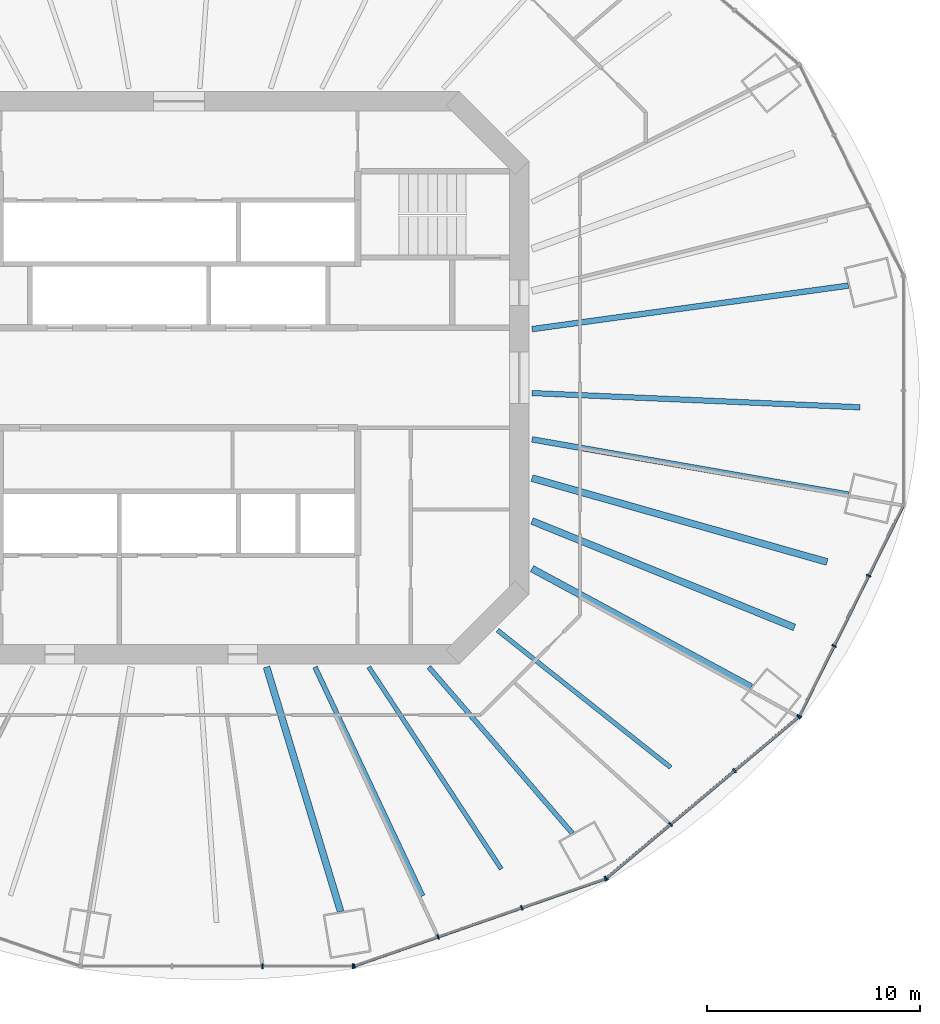
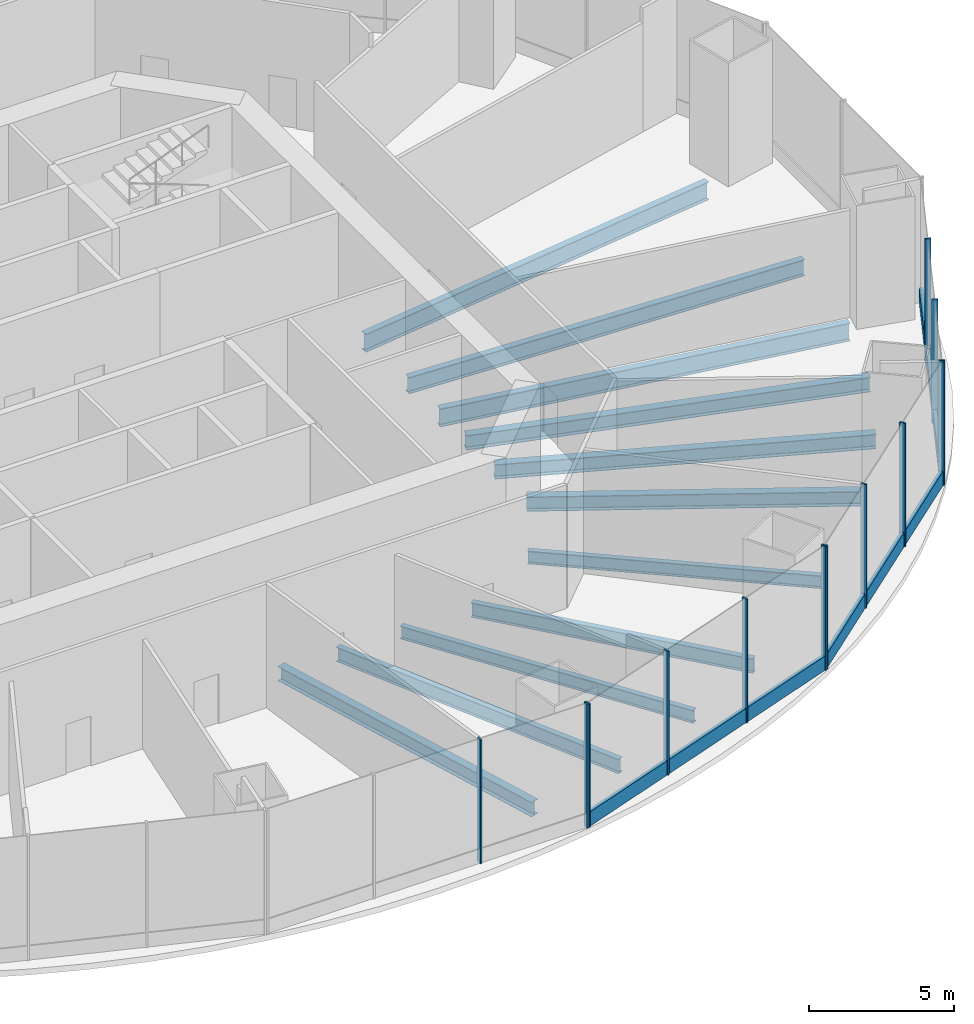
# One storey, part 4 of 15: 16 members, 11 beams, 4 elements without a shape of their own.
"""IFC4 building model written with IfcOpenShell, lengths in metres."""

from ifc_helpers import new_model, si_unit, direction, frame, origin, origin_2d, place, context, subcontext, project, spatial, rectangle, i_section, extrude, material, material_profile, profile_set, type_object, element, aggregate, save


model = new_model("IFC4")

# Units and contexts
model_context = context("Model", 3, precision=1e-05, world=origin(), true_north=direction((0.0, 1.0)))
body_context = subcontext(model_context, "Body", "Model", "MODEL_VIEW")
ifc_project = project(units=[si_unit("LENGTHUNIT", "METRE"), si_unit("AREAUNIT", "SQUARE_METRE"), si_unit("VOLUMEUNIT", "CUBIC_METRE"), si_unit("PLANEANGLEUNIT", "RADIAN"), si_unit("MASSUNIT", "GRAM", prefix="KILO")], contexts=[model_context])

# Site, building, storey
site_placement = place(None, origin())
site = spatial("IfcSite", under=ifc_project, at=site_placement, CompositionType="ELEMENT")
building_placement = place(site_placement, origin())
building = spatial("IfcBuilding", under=site, at=building_placement, Name="Marenthal Gate Tower", CompositionType="ELEMENT")
storey_placement = place(building_placement, frame((0.0, 0.0, 155.64990234375)))
storey = spatial("IfcBuildingStorey", under=building, at=storey_placement, Name="L33", CompositionType="ELEMENT", Elevation=155.64990234375)

# Curtain wall, members
ifc_material_1 = material(Name="Aluminium and glass", Category="aluminium")
curtain_wall_type = type_object("IfcCurtainWallType", Name="Curtain wall sky lobby", PredefinedType="NOTDEFINED", material=ifc_material_1)
curtain_wall_1_placement = place(storey_placement, origin())
curtain_wall_1 = element("IfcCurtainWall", 1, at=curtain_wall_1_placement, inside=storey, type_object=curtain_wall_type, Name="Curtain wall L33 bay 12", PredefinedType="NOTDEFINED")
ifc_material_2 = material(Name="Aluminium", Category="aluminium")
ifc_material_profile_1 = material_profile(ifc_material_2, rectangle(XDim=0.219970703125, YDim=0.070068359375, at=origin_2d()), Name="70x220 aluminium mullion")
ifc_profile_set_1 = profile_set([ifc_material_profile_1], Name="Aluminium")
member_type_1 = type_object("IfcMemberType", Name="Mullion 70x220 sky lobby", PredefinedType="MULLION", material=ifc_profile_set_1)
member_1_placement = place(storey_placement, frame((3.929443359375, -27.661865234375, 0.0), z_axis=(0.0, 0.0, 1.0), x_axis=(0.0, 1.0, 0.0)))
member_1 = element("IfcMember", 2, at=member_1_placement, type_object=member_type_1, Name="Mullion L33 bay 12.3", PredefinedType="MULLION", context=body_context, shape_type="SweptSolid", body=[
    extrude(rectangle(XDim=0.219970703125, YDim=0.070068359375, at=origin_2d()), origin(), (0.0, 0.0, 1.0), 5.22021484375),
])
member_2_placement = place(storey_placement, frame((8.188232421875, -27.661865234375, 0.0), z_axis=(0.0, 0.0, 1.0), x_axis=(0.0, 1.0, 0.0)))
member_2 = element("IfcMember", 3, at=member_2_placement, type_object=member_type_1, Name="Mullion L33 bay 12.4", PredefinedType="MULLION", context=body_context, shape_type="SweptSolid", body=[
    extrude(rectangle(XDim=0.219970703125, YDim=0.070068359375, at=origin_2d()), origin(), (0.0, 0.0, 1.0), 5.22021484375),
])
aggregate(curtain_wall_1, [member_1, member_2])

curtain_wall_2_placement = place(storey_placement, origin())
curtain_wall_2 = element("IfcCurtainWall", 4, at=curtain_wall_2_placement, inside=storey, type_object=curtain_wall_type, Name="Curtain wall L33 bay 13", PredefinedType="NOTDEFINED")
member_3_placement = place(storey_placement, frame((8.24658203125, -27.65185546875, 0.0), z_axis=(0.0, 0.0, 1.0), x_axis=(-0.328157600538, 0.944622987868, 0.0)))
member_3 = element("IfcMember", 5, at=member_3_placement, type_object=member_type_1, Name="Mullion L33 bay 13.1", PredefinedType="MULLION", context=body_context, shape_type="SweptSolid", body=[
    extrude(rectangle(XDim=0.219970703125, YDim=0.070068359375, at=origin_2d()), origin(), (0.0, 0.0, 1.0), 5.22021484375),
])
member_4_placement = place(storey_placement, frame((12.180908203125, -26.28515625, 0.0), z_axis=(0.0, 0.0, 1.0), x_axis=(-0.328157600538, 0.944622987868, 0.0)))
member_4 = element("IfcMember", 6, at=member_4_placement, type_object=member_type_1, Name="Mullion L33 bay 13.2", PredefinedType="MULLION", context=body_context, shape_type="SweptSolid", body=[
    extrude(rectangle(XDim=0.219970703125, YDim=0.070068359375, at=origin_2d()), origin(), (0.0, 0.0, 1.0), 5.22021484375),
])
member_5_placement = place(storey_placement, frame((16.115234375, -24.91845703125, 0.0), z_axis=(0.0, 0.0, 1.0), x_axis=(-0.328157600538, 0.944622987868, 0.0)))
member_5 = element("IfcMember", 7, at=member_5_placement, type_object=member_type_1, Name="Mullion L33 bay 13.3", PredefinedType="MULLION", context=body_context, shape_type="SweptSolid", body=[
    extrude(rectangle(XDim=0.219970703125, YDim=0.070068359375, at=origin_2d()), origin(), (0.0, 0.0, 1.0), 5.22021484375),
])
member_6_placement = place(storey_placement, frame((20.04931640625, -23.5517578125, 0.0), z_axis=(0.0, 0.0, 1.0), x_axis=(-0.328157600538, 0.944622987868, 0.0)))
member_6 = element("IfcMember", 8, at=member_6_placement, type_object=member_type_1, Name="Mullion L33 bay 13.4", PredefinedType="MULLION", context=body_context, shape_type="SweptSolid", body=[
    extrude(rectangle(XDim=0.219970703125, YDim=0.070068359375, at=origin_2d()), origin(), (0.0, 0.0, 1.0), 5.22021484375),
])

curtain_wall_3_placement = place(storey_placement, origin())
curtain_wall_3 = element("IfcCurtainWall", 9, at=curtain_wall_3_placement, inside=storey, type_object=curtain_wall_type, Name="Curtain wall L33 bay 14", PredefinedType="NOTDEFINED")
member_7_placement = place(storey_placement, frame((20.1005859375, -23.522705078125, 0.0), z_axis=(0.0, 0.0, 1.0), x_axis=(-0.642602351007, 0.766199855443, 0.0)))
member_7 = element("IfcMember", 10, at=member_7_placement, type_object=member_type_1, Name="Mullion L33 bay 14.1", PredefinedType="MULLION", context=body_context, shape_type="SweptSolid", body=[
    extrude(rectangle(XDim=0.219970703125, YDim=0.070068359375, at=origin_2d()), origin(), (0.0, 0.0, 1.0), 5.22021484375),
])
member_8_placement = place(storey_placement, frame((23.11083984375, -20.998046875, 0.0), z_axis=(0.0, 0.0, 1.0), x_axis=(-0.642602351007, 0.766199855443, 0.0)))
member_8 = element("IfcMember", 11, at=member_8_placement, type_object=member_type_1, Name="Mullion L33 bay 14.2", PredefinedType="MULLION", context=body_context, shape_type="SweptSolid", body=[
    extrude(rectangle(XDim=0.219970703125, YDim=0.070068359375, at=origin_2d()), origin(), (0.0, 0.0, 1.0), 5.22021484375),
])
member_9_placement = place(storey_placement, frame((26.121337890625, -18.47314453125, 0.0), z_axis=(0.0, 0.0, 1.0), x_axis=(-0.642602351007, 0.766199855443, 0.0)))
member_9 = element("IfcMember", 12, at=member_9_placement, type_object=member_type_1, Name="Mullion L33 bay 14.3", PredefinedType="MULLION", context=body_context, shape_type="SweptSolid", body=[
    extrude(rectangle(XDim=0.219970703125, YDim=0.070068359375, at=origin_2d()), origin(), (0.0, 0.0, 1.0), 5.22021484375),
])
member_10_placement = place(storey_placement, frame((29.131591796875, -15.948486328125, 0.0), z_axis=(0.0, 0.0, 1.0), x_axis=(-0.642602351007, 0.766199855443, 0.0)))
member_10 = element("IfcMember", 13, at=member_10_placement, type_object=member_type_1, Name="Mullion L33 bay 14.4", PredefinedType="MULLION", context=body_context, shape_type="SweptSolid", body=[
    extrude(rectangle(XDim=0.219970703125, YDim=0.070068359375, at=origin_2d()), origin(), (0.0, 0.0, 1.0), 5.22021484375),
])

curtain_wall_4_placement = place(storey_placement, origin())
curtain_wall_4 = element("IfcCurtainWall", 14, at=curtain_wall_4_placement, inside=storey, type_object=curtain_wall_type, Name="Curtain wall L33 bay 15", PredefinedType="NOTDEFINED")
member_11_placement = place(storey_placement, frame((29.167724609375, -15.90234375, 0.0), z_axis=(0.0, 0.0, 1.0), x_axis=(-0.896608747182, 0.442823615536, 0.0)))
member_11 = element("IfcMember", 15, at=member_11_placement, type_object=member_type_1, Name="Mullion L33 bay 15.1", PredefinedType="MULLION", context=body_context, shape_type="SweptSolid", body=[
    extrude(rectangle(XDim=0.219970703125, YDim=0.070068359375, at=origin_2d()), origin(), (0.0, 0.0, 1.0), 5.22021484375),
])
member_12_placement = place(storey_placement, frame((30.79638671875, -12.604736328125, 0.0), z_axis=(0.0, 0.0, 1.0), x_axis=(-0.896608747182, 0.442823615536, 0.0)))
member_12 = element("IfcMember", 16, at=member_12_placement, type_object=member_type_1, Name="Mullion L33 bay 15.2", PredefinedType="MULLION", context=body_context, shape_type="SweptSolid", body=[
    extrude(rectangle(XDim=0.219970703125, YDim=0.070068359375, at=origin_2d()), origin(), (0.0, 0.0, 1.0), 5.22021484375),
])
member_13_placement = place(storey_placement, frame((32.425048828125, -9.307373046875, 0.0), z_axis=(0.0, 0.0, 1.0), x_axis=(-0.896608747182, 0.442823615536, 0.0)))
member_13 = element("IfcMember", 17, at=member_13_placement, type_object=member_type_1, Name="Mullion L33 bay 15.3", PredefinedType="MULLION", context=body_context, shape_type="SweptSolid", body=[
    extrude(rectangle(XDim=0.219970703125, YDim=0.070068359375, at=origin_2d()), origin(), (0.0, 0.0, 1.0), 5.22021484375),
])

# Member
ifc_material_3 = material(Name="Aluminium", Category="aluminium")
ifc_material_profile_2 = material_profile(ifc_material_3, rectangle(XDim=0.139892578125, YDim=0.60009765625, at=origin_2d()), Name="140x600 aluminium transom")
ifc_profile_set_2 = profile_set([ifc_material_profile_2], Name="Aluminium")
member_type_2 = type_object("IfcMemberType", Name="Transom 140x600 sky lobby", PredefinedType="USERDEFINED", material=ifc_profile_set_2)
member_14_placement = place(storey_placement, frame((8.27978515625, -27.640380859375, 0.300048828125), z_axis=(0.944625028285, 0.328151727006, 0.0), x_axis=(-0.328151727006, 0.944625028285, 0.0)))
member_14 = element("IfcMember", 18, at=member_14_placement, type_object=member_type_2, Name="Transom L33 bay 13", ObjectType="TRANSOM", PredefinedType="USERDEFINED", context=body_context, shape_type="SweptSolid", body=[
    extrude(rectangle(XDim=0.139892578125, YDim=0.60009765625, at=origin_2d()), origin(), (0.0, 0.0, 1.0), 12.424560546875),
])

aggregate(curtain_wall_2, [member_3, member_4, member_5, member_6, member_14])

member_15_placement = place(storey_placement, frame((20.12744140625, -23.500244140625, 0.300048828125), z_axis=(0.766203788169, 0.642597661835, 0.0), x_axis=(-0.642597661835, 0.766203788169, 0.0)))
member_15 = element("IfcMember", 19, at=member_15_placement, type_object=member_type_2, Name="Transom L33 bay 14", ObjectType="TRANSOM", PredefinedType="USERDEFINED", context=body_context, shape_type="SweptSolid", body=[
    extrude(rectangle(XDim=0.139892578125, YDim=0.60009765625, at=origin_2d()), origin(), (0.0, 0.0, 1.0), 11.716552734375),
])

aggregate(curtain_wall_3, [member_7, member_8, member_9, member_10, member_15])

member_16_placement = place(storey_placement, frame((29.183349609375, -15.87109375, 0.300048828125), z_axis=(0.442816781106, 0.896612122588, 0.0), x_axis=(-0.896612122588, 0.442816781106, 0.0)))
member_16 = element("IfcMember", 20, at=member_16_placement, type_object=member_type_2, Name="Transom L33 bay 15", ObjectType="TRANSOM", PredefinedType="USERDEFINED", context=body_context, shape_type="SweptSolid", body=[
    extrude(rectangle(XDim=0.139892578125, YDim=0.60009765625, at=origin_2d()), origin(), (0.0, 0.0, 1.0), 10.96337890625),
])

aggregate(curtain_wall_4, [member_11, member_12, member_13, member_16])

# Beams
ifc_material_4 = material(Name="Steel S355", Category="steel")
ifc_material_profile_3 = material_profile(ifc_material_4, i_section(OverallWidth=0.2119140625, OverallDepth=0.5439453125, WebThickness=0.01318359375, FlangeThickness=0.021240234375, FilletRadius=0.0126953125, at=origin_2d()), Name="W530X123")
ifc_profile_set_3 = profile_set([ifc_material_profile_3], Name="Steel S355")
beam_type_1 = type_object("IfcBeamType", Name="W530X123 beam", PredefinedType="BEAM", material=ifc_profile_set_3)
beam_1_placement = place(storey_placement, frame((15.153564453125, -23.091552734375, -0.52197265625), z_axis=(-0.548655971754, 0.836048219099, 0.0), x_axis=(-0.836048219099, -0.548655971754, 0.0)))
element("IfcBeam", 21, at=beam_1_placement, inside=storey, type_object=beam_type_1, Name="BM-L33-36", PredefinedType="BEAM", context=body_context, shape_type="SweptSolid", body=[
    extrude(i_section(OverallWidth=0.2119140625, OverallDepth=0.5439453125, WebThickness=0.01318359375, FlangeThickness=0.021240234375, FilletRadius=0.0126953125, at=origin_2d()), origin(), (0.0, 0.0, 1.0), 11.352783203125),
])
beam_2_placement = place(storey_placement, frame((23.119873046875, -18.322509765625, -0.52197265625), z_axis=(-0.783719758749, 0.621114594698, 0.0), x_axis=(-0.621114594698, -0.783719758749, 0.0)))
element("IfcBeam", 22, at=beam_2_placement, inside=storey, type_object=beam_type_1, Name="BM-L33-37", PredefinedType="BEAM", context=body_context, shape_type="SweptSolid", body=[
    extrude(i_section(OverallWidth=0.2119140625, OverallDepth=0.5439453125, WebThickness=0.01318359375, FlangeThickness=0.021240234375, FilletRadius=0.0126953125, at=origin_2d()), origin(), (0.0, 0.0, 1.0), 10.388427734375),
])
ifc_material_5 = material(Name="Steel S355", Category="steel")
ifc_material_profile_4 = material_profile(ifc_material_5, i_section(OverallWidth=0.22900390625, OverallDepth=0.612060546875, WebThickness=0.011962890625, FlangeThickness=0.01953125, FilletRadius=0.0126953125, at=origin_2d()), Name="W610X125")
ifc_profile_set_4 = profile_set([ifc_material_profile_4], Name="Steel S355")
beam_type_2 = type_object("IfcBeamType", Name="W610X125 beam", PredefinedType="BEAM", material=ifc_profile_set_4)
beam_3_placement = place(storey_placement, frame((18.498779296875, -21.41650390625, -0.555908203125), z_axis=(-0.653671563625, 0.756778360491, 0.0), x_axis=(-0.756778360491, -0.653671563625, 0.0)))
element("IfcBeam", 23, at=beam_3_placement, inside=storey, type_object=beam_type_2, Name="BM-L33-14", PredefinedType="BEAM", context=body_context, shape_type="SweptSolid", body=[
    extrude(i_section(OverallWidth=0.22900390625, OverallDepth=0.612060546875, WebThickness=0.011962890625, FlangeThickness=0.01953125, FilletRadius=0.0126953125, at=origin_2d()), origin(), (0.0, 0.0, 1.0), 10.32861328125),
])
beam_4_placement = place(storey_placement, frame((11.459228515625, -24.3623046875, -0.555908203125), z_axis=(-0.425637868869, 0.904893587437, 0.0), x_axis=(-0.904893587437, -0.425637868869, 0.0)))
element("IfcBeam", 24, at=beam_4_placement, inside=storey, type_object=beam_type_2, Name="BM-L33-35", PredefinedType="BEAM", context=body_context, shape_type="SweptSolid", body=[
    extrude(i_section(OverallWidth=0.22900390625, OverallDepth=0.612060546875, WebThickness=0.011962890625, FlangeThickness=0.01953125, FilletRadius=0.0126953125, at=origin_2d()), origin(), (0.0, 0.0, 1.0), 11.893310546875),
])
ifc_material_6 = material(Name="Steel S355", Category="steel")
ifc_material_profile_5 = material_profile(ifc_material_6, i_section(OverallWidth=0.324951171875, OverallDepth=0.612060546875, WebThickness=0.0126953125, FlangeThickness=0.01904296875, FilletRadius=0.0126953125, at=origin_2d()), Name="W610X155")
ifc_profile_set_5 = profile_set([ifc_material_profile_5], Name="Steel S355")
beam_type_3 = type_object("IfcBeamType", Name="W610X155 beam", PredefinedType="BEAM", material=ifc_profile_set_5)
beam_5_placement = place(storey_placement, frame((7.60302734375, -25.0986328125, -0.555908203125), z_axis=(-0.289912080778, 0.957053282435, 0.0), x_axis=(-0.957053282435, -0.289912080778, 0.0)))
element("IfcBeam", 25, at=beam_5_placement, inside=storey, type_object=beam_type_3, Name="BM-L33-13", PredefinedType="BEAM", context=body_context, shape_type="SweptSolid", body=[
    extrude(i_section(OverallWidth=0.324951171875, OverallDepth=0.612060546875, WebThickness=0.0126953125, FlangeThickness=0.01904296875, FilletRadius=0.0126953125, at=origin_2d()), origin(), (0.0, 0.0, 1.0), 12.014404296875),
])
beam_6_placement = place(storey_placement, frame((26.901611328125, -14.543701171875, -0.555908203125), z_axis=(-0.879672570329, 0.475579824016, 0.0), x_axis=(-0.475579824016, -0.879672570329, 0.0)))
element("IfcBeam", 26, at=beam_6_placement, inside=storey, type_object=beam_type_3, Name="BM-L33-15", PredefinedType="BEAM", context=body_context, shape_type="SweptSolid", body=[
    extrude(i_section(OverallWidth=0.324951171875, OverallDepth=0.612060546875, WebThickness=0.0126953125, FlangeThickness=0.01904296875, FilletRadius=0.0126953125, at=origin_2d()), origin(), (0.0, 0.0, 1.0), 11.710693359375),
])
beam_7_placement = place(storey_placement, frame((28.934814453125, -11.7373046875, -0.555908203125), z_axis=(-0.926664514854, 0.375889447725, 0.0), x_axis=(-0.375889447725, -0.926664514854, 0.0)))
element("IfcBeam", 27, at=beam_7_placement, inside=storey, type_object=beam_type_3, Name="BM-L33-38", PredefinedType="BEAM", context=body_context, shape_type="SweptSolid", body=[
    extrude(i_section(OverallWidth=0.324951171875, OverallDepth=0.612060546875, WebThickness=0.0126953125, FlangeThickness=0.01904296875, FilletRadius=0.0126953125, at=origin_2d()), origin(), (0.0, 0.0, 1.0), 13.310791015625),
])
beam_8_placement = place(storey_placement, frame((30.468994140625, -8.6611328125, -0.555908203125), z_axis=(-0.961892401974, 0.273428248404, 0.0), x_axis=(-0.273428248404, -0.961892401974, 0.0)))
element("IfcBeam", 28, at=beam_8_placement, inside=storey, type_object=beam_type_3, Name="BM-L33-39", PredefinedType="BEAM", context=body_context, shape_type="SweptSolid", body=[
    extrude(i_section(OverallWidth=0.324951171875, OverallDepth=0.612060546875, WebThickness=0.0126953125, FlangeThickness=0.01904296875, FilletRadius=0.0126953125, at=origin_2d()), origin(), (0.0, 0.0, 1.0), 14.41845703125),
])
ifc_material_7 = material(Name="Steel S355", Category="steel")
ifc_material_profile_6 = material_profile(ifc_material_7, i_section(OverallWidth=0.257080078125, OverallDepth=0.693115234375, WebThickness=0.014404296875, FlangeThickness=0.023681640625, FilletRadius=0.015380859375, at=origin_2d()), Name="W690X170")
ifc_profile_set_6 = profile_set([ifc_material_profile_6], Name="Steel S355")
beam_type_4 = type_object("IfcBeamType", Name="W690X170 beam", PredefinedType="BEAM", material=ifc_profile_set_6)
beam_9_placement = place(storey_placement, frame((32.01708984375, -1.39013671875, -0.596435546875), z_axis=(-0.999058604532, 0.043380925661, 0.0), x_axis=(-0.043380925661, -0.999058604532, 0.0)))
element("IfcBeam", 29, at=beam_9_placement, inside=storey, type_object=beam_type_4, Name="BM-L33-40", PredefinedType="BEAM", context=body_context, shape_type="SweptSolid", body=[
    extrude(i_section(OverallWidth=0.257080078125, OverallDepth=0.693115234375, WebThickness=0.014404296875, FlangeThickness=0.023681640625, FilletRadius=0.015380859375, at=origin_2d()), origin(), (0.0, 0.0, 1.0), 15.431640625),
])
ifc_material_8 = material(Name="Steel S355", Category="steel")
ifc_material_profile_7 = material_profile(ifc_material_8, i_section(OverallWidth=0.26708984375, OverallDepth=0.761962890625, WebThickness=0.014404296875, FlangeThickness=0.021484375, FilletRadius=0.0166015625, at=origin_2d()), Name="W760X173")
ifc_profile_set_7 = profile_set([ifc_material_profile_7], Name="Steel S355")
beam_type_5 = type_object("IfcBeamType", Name="W760X173 beam", PredefinedType="BEAM", material=ifc_profile_set_7)
beam_10_placement = place(storey_placement, frame((31.471923828125, 4.330810546875, -0.630859375), z_axis=(-0.990663058977, -0.136333061207, 0.0), x_axis=(0.136333061207, -0.990663058977, 0.0)))
element("IfcBeam", 30, at=beam_10_placement, inside=storey, type_object=beam_type_5, Name="BM-L33-01", PredefinedType="BEAM", context=body_context, shape_type="SweptSolid", body=[
    extrude(i_section(OverallWidth=0.26708984375, OverallDepth=0.761962890625, WebThickness=0.014404296875, FlangeThickness=0.021484375, FilletRadius=0.0166015625, at=origin_2d()), origin(), (0.0, 0.0, 1.0), 15.011962890625),
])
beam_11_placement = place(storey_placement, frame((31.480712890625, -5.493896484375, -0.630859375), z_axis=(-0.985111111991, 0.171918867586, 0.0), x_axis=(-0.171918867586, -0.985111111991, 0.0)))
element("IfcBeam", 31, at=beam_11_placement, inside=storey, type_object=beam_type_5, Name="BM-L33-16", PredefinedType="BEAM", context=body_context, shape_type="SweptSolid", body=[
    extrude(i_section(OverallWidth=0.26708984375, OverallDepth=0.761962890625, WebThickness=0.014404296875, FlangeThickness=0.021484375, FilletRadius=0.0166015625, at=origin_2d()), origin(), (0.0, 0.0, 1.0), 15.10546875),
])

save(model, "model.ifc")
